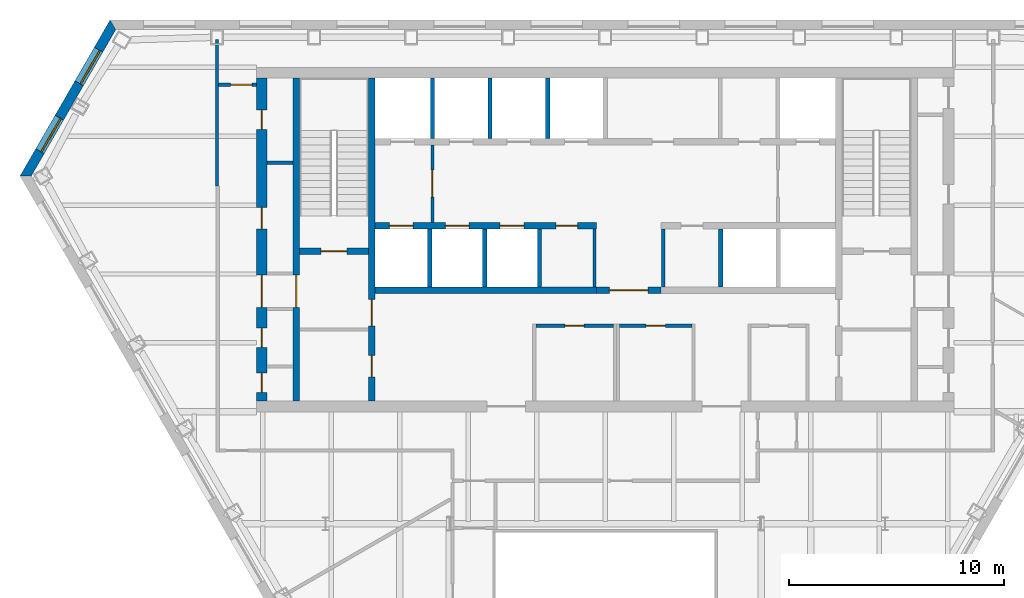
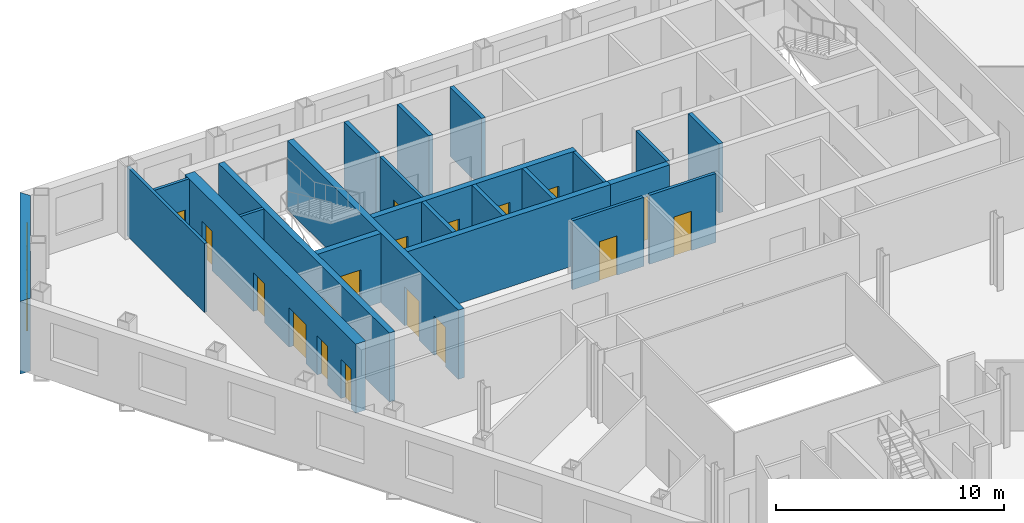
# One storey, part 6 of 11: 23 walls, 18 doors, 2 windows, 20 openings.
"""IFC4 building model written with IfcOpenShell, lengths in metres."""

import ifcopenshell
import ifcopenshell.guid

model = None  # the IFC model being written
_history = None  # IfcOwnerHistory: only IFC2X3 demands one
_inside = {}  # id of a spatial element -> (the spatial element, [elements in it])
_under = {}  # id of a project, library or spatial element -> (it, [spatial elements below it])
_declared = {}  # id of a project -> (the project, [libraries it declares])
_typed = {}  # id of a type object -> (the type object, [elements of that type])
_made_of = {}  # id of a material, layer set ... -> (it, [elements and type objects made of it])


def new_model(schema):
    """Start an empty IFC model of exactly this schema.

    Asked for "IFC4X3", IfcOpenShell would pick the latest addendum, in which some entities
    have other attributes; the version numbers below select the first issue.
    IFC2X3 requires an IfcOwnerHistory on every rooted entity: one is made here for all.
    """
    global model, _history
    if schema == "IFC4X3":
        model = ifcopenshell.file(schema_version=(4, 3, 0, 0))
    else:
        model = ifcopenshell.file(schema=schema)
    _inside.clear()
    _under.clear()
    _declared.clear()
    _typed.clear()
    _made_of.clear()
    _history = None
    if model.schema == "IFC2X3":
        org = make("IfcOrganization", Name="unknown")
        user = make(
            "IfcPersonAndOrganization",
            ThePerson=make("IfcPerson", FamilyName="unknown"),
            TheOrganization=org,
        )
        app = make(
            "IfcApplication",
            ApplicationDeveloper=org,
            Version="unknown",
            ApplicationFullName="unknown",
            ApplicationIdentifier="unknown",
        )
        _history = make(
            "IfcOwnerHistory",
            OwningUser=user,
            OwningApplication=app,
            ChangeAction="ADDED",
            CreationDate=0,
        )
    return model


def make(cls, **values):
    """One entity of the class cls with the attributes given. An attribute that is None is left unset."""
    return model.create_entity(
        cls, **{name: value for name, value in values.items() if value is not None}
    )


def rooted(cls, **values):
    """An entity with a GlobalId (a new one), such as an element, a storey or a relation."""
    return make(cls, GlobalId=ifcopenshell.guid.new(), OwnerHistory=_history, **values)


def si_unit(unit_type, name, prefix=None):
    """IfcSIUnit, for example si_unit("LENGTHUNIT", "METRE", prefix="MILLI")."""
    return make("IfcSIUnit", UnitType=unit_type, Prefix=prefix, Name=name)


def assignment(units):
    """IfcUnitAssignment: the units of a project."""
    return None if units is None else make("IfcUnitAssignment", Units=units)


def point(xyz):
    """IfcCartesianPoint."""
    return None if xyz is None else make("IfcCartesianPoint", Coordinates=xyz)


def direction(xyz):
    """IfcDirection."""
    return None if xyz is None else make("IfcDirection", DirectionRatios=xyz)


def frame(location, z_axis=None, x_axis=None):
    """IfcAxis2Placement3D, a coordinate frame: its origin and axes. An axis left out is left unset."""
    return make(
        "IfcAxis2Placement3D",
        Location=point(location),
        Axis=direction(z_axis),
        RefDirection=direction(x_axis),
    )


def frame_2d(location, x_axis=None):
    """IfcAxis2Placement2D, a coordinate frame in the plane: its origin and x axis."""
    return make(
        "IfcAxis2Placement2D", Location=point(location), RefDirection=direction(x_axis)
    )


def origin():
    """The frame at (0, 0, 0) with its axes left unset."""
    return frame((0.0, 0.0, 0.0))


def place(relative_to, where):
    """IfcLocalPlacement: puts the frame where relative to a parent placement (None: the world)."""
    return make(
        "IfcLocalPlacement", PlacementRelTo=relative_to, RelativePlacement=where
    )


def context(
    kind, dimensions, precision=None, world=None, true_north=None, identifier=None
):
    """IfcGeometricRepresentationContext, for example the 3D "Model" context."""
    return make(
        "IfcGeometricRepresentationContext",
        ContextIdentifier=identifier,
        ContextType=kind,
        CoordinateSpaceDimension=dimensions,
        Precision=precision,
        WorldCoordinateSystem=world,
        TrueNorth=true_north,
    )


def subcontext(parent, identifier, kind, view, scale=None):
    """IfcGeometricRepresentationSubContext, for example "Body" below "Model"."""
    return make(
        "IfcGeometricRepresentationSubContext",
        ContextIdentifier=identifier,
        ContextType=kind,
        ParentContext=parent,
        TargetScale=scale,
        TargetView=view,
    )


def project(units=None, contexts=None):
    """IfcProject with its units and contexts."""
    return rooted(
        "IfcProject",
        Name="project",
        RepresentationContexts=contexts,
        UnitsInContext=assignment(units),
    )


def spatial(cls, under=None, at=None, **own):
    """A site, building, storey or space (cls), placed at a placement, below another one or the project."""
    s = rooted(cls, ObjectPlacement=at, **own)
    if under is not None:
        _under.setdefault(under.id(), (under, []))[1].append(s)
    return s


def polyline(points):
    """IfcPolyline through the points."""
    return make("IfcPolyline", Points=[point(p) for p in points])


def profile(cls, at=None, kind="AREA", **sizes):
    """A parametric profile (cls). Its sizes go by their IFC names, for example OverallWidth=200.0."""
    return make(cls, ProfileType=kind, Position=at, **sizes)


def rectangle(**sizes):
    """IfcRectangleProfileDef."""
    return profile("IfcRectangleProfileDef", **sizes)


def outline(outer, holes=None, kind="AREA"):
    """IfcArbitraryClosedProfileDef: a profile drawn as a closed curve; with holes, ...WithVoids."""
    if holes is None:
        return make("IfcArbitraryClosedProfileDef", ProfileType=kind, OuterCurve=outer)
    return make(
        "IfcArbitraryProfileDefWithVoids",
        ProfileType=kind,
        OuterCurve=outer,
        InnerCurves=holes,
    )


def extrude(swept, where, along, depth):
    """IfcExtrudedAreaSolid: the profile swept, set in the frame where, extruded along a direction by depth."""
    return make(
        "IfcExtrudedAreaSolid",
        SweptArea=swept,
        Position=where,
        ExtrudedDirection=direction(along),
        Depth=depth,
    )


def shape(context_of_items, identifier, shape_type, items):
    """IfcShapeRepresentation: the items that make up one representation, for example the "Body"."""
    return make(
        "IfcShapeRepresentation",
        ContextOfItems=context_of_items,
        RepresentationIdentifier=identifier,
        RepresentationType=shape_type,
        Items=items,
    )


def material(Name=None, Category=None):
    """IfcMaterial."""
    return make("IfcMaterial", Name=Name, Category=Category)


def layer(
    of_material, thickness, ventilated=None, Name=None, Category=None, Priority=None
):
    """IfcMaterialLayer: one layer of a wall or slab, of a material (None: an air gap)."""
    return make(
        "IfcMaterialLayer",
        Material=of_material,
        LayerThickness=thickness,
        IsVentilated=ventilated,
        Name=Name,
        Category=Category,
        Priority=Priority,
    )


def layer_set(layers, Name=None):
    """IfcMaterialLayerSet."""
    return make("IfcMaterialLayerSet", MaterialLayers=layers, LayerSetName=Name)


def made_of(thing, what):
    """Note that an element or type object is made of a material, layer set ...; save() writes the relation."""
    if what is not None:
        _made_of.setdefault(what.id(), (what, []))[1].append(thing)
    return thing


def type_object(cls, material=None, **own):
    """A type object (cls), such as IfcWallType, which elements share."""
    return made_of(rooted(cls, **own), material)


def element(
    cls,
    number,
    at=None,
    inside=None,
    cuts=None,
    type_object=None,
    material=None,
    context=None,
    identifier="Body",
    shape_type=None,
    held_by="IfcProductDefinitionShape",
    body=None,
    shapes=None,
    **own,
):
    """One element of the class cls, such as IfcWall. Its Tag is "e" and its number.

    at: its placement. inside: the storey or other place that contains it. cuts: it is an
    opening in that element (IfcRelVoidsElement). A single representation is given by context,
    identifier, shape_type and body (its items); several are given by shapes. held_by: the class
    of the entity that holds the representations. save() writes the other relations.
    """
    e = rooted(cls, Tag="e%d" % number, ObjectPlacement=at, **own)
    if body is not None:
        shapes = [shape(context, identifier, shape_type, body)]
    if shapes is not None:
        e.Representation = make(held_by, Representations=shapes)
    if inside is not None:
        _inside.setdefault(inside.id(), (inside, []))[1].append(e)
    if cuts is not None:
        rooted(
            "IfcRelVoidsElement", RelatingBuildingElement=cuts, RelatedOpeningElement=e
        )
    if type_object is not None:
        _typed.setdefault(type_object.id(), (type_object, []))[1].append(e)
    return made_of(e, material)


def fill(opening, filler):
    """IfcRelFillsElement: the door or window that sits in an opening."""
    return rooted(
        "IfcRelFillsElement",
        RelatingOpeningElement=opening,
        RelatedBuildingElement=filler,
    )


def aggregate(whole, parts):
    """IfcRelAggregates: a whole, such as a stair, and the parts it consists of."""
    return rooted("IfcRelAggregates", RelatingObject=whole, RelatedObjects=parts)


def save(model, path):
    """Write the relations noted so far, then the file.

    IfcRelAggregates (storeys below a building ...), IfcRelContainedInSpatialStructure (elements
    in a storey), IfcRelDefinesByType, IfcRelAssociatesMaterial and IfcRelDeclares: one each for
    every whole, place, type object, material and project.
    """
    for whole, parts in _under.values():
        aggregate(whole, parts)
    for where, things in _inside.values():
        rooted(
            "IfcRelContainedInSpatialStructure",
            RelatedElements=things,
            RelatingStructure=where,
        )
    for kind, things in _typed.values():
        rooted("IfcRelDefinesByType", RelatedObjects=things, RelatingType=kind)
    for what, things in _made_of.values():
        rooted("IfcRelAssociatesMaterial", RelatedObjects=things, RelatingMaterial=what)
    for by, libraries in _declared.values():
        rooted("IfcRelDeclares", RelatingContext=by, RelatedDefinitions=libraries)
    model.write(path)


model = new_model("IFC4")

# Units and contexts
model_context = context("Model", 3, precision=1e-05, world=origin(), true_north=direction((0.0, 1.0)))
body_context = subcontext(model_context, "Body", "Model", "MODEL_VIEW")
ifc_project = project(units=[si_unit("LENGTHUNIT", "METRE"), si_unit("AREAUNIT", "SQUARE_METRE"), si_unit("VOLUMEUNIT", "CUBIC_METRE"), si_unit("PLANEANGLEUNIT", "RADIAN"), si_unit("MASSUNIT", "GRAM", prefix="KILO")], contexts=[model_context])

# Site, building, storey
site_placement = place(None, origin())
site = spatial("IfcSite", under=ifc_project, at=site_placement, CompositionType="ELEMENT")
building_placement = place(site_placement, origin())
building = spatial("IfcBuilding", under=site, at=building_placement, Name="Njiva Tower", CompositionType="ELEMENT")
storey_placement = place(building_placement, frame((0.0, 0.0, 163.2)))
storey = spatial("IfcBuildingStorey", under=building, at=storey_placement, Name="L35", CompositionType="ELEMENT", Elevation=163.2)

# Walls
ifc_material_1 = material(Name="Blockwork", Category="masonry")
ifc_layer_1 = layer(ifc_material_1, 0.15)
ifc_layer_set_1 = layer_set([ifc_layer_1], Name="Blockwork")
wall_type_1 = type_object("IfcWallType", Name="WT1 Compartment partition 150", PredefinedType="PARTITIONING", material=ifc_layer_set_1)
for number, where, z_axis, x_axis, name in (
    (1, (-0.5, 7.8, 0.0), (0.0, 0.0, 1.0), (0.0, 1.0, 0.0), "Partition CS4"),
    (2, (2.7, 7.8, 0.0), (0.0, 0.0, 1.0), (0.0, 1.0, 0.0), "Partition CS5"),
):
    element("IfcWall", number, at=place(storey_placement, frame(where, z_axis=z_axis, x_axis=x_axis)), inside=storey, type_object=wall_type_1, Name=name, PredefinedType="PARTITIONING", context=body_context, shape_type="SweptSolid", body=[
        extrude(rectangle(XDim=2.7, YDim=0.15, at=frame_2d((1.35, 0.0))), origin(), (0.0, 0.0, 1.0), 3.7),
    ])

# Wall, opening, door
wall_1_placement = place(storey_placement, frame((-3.225, 6.0, 0.0), z_axis=(0.0, 0.0, 1.0), x_axis=(1.0, 0.0, 0.0)))
wall_1 = element("IfcWall", 3, at=wall_1_placement, inside=storey, type_object=wall_type_1, Name="First aid room wall north", PredefinedType="PARTITIONING", context=body_context, shape_type="SweptSolid", body=[
    extrude(rectangle(XDim=3.6, YDim=0.15, at=frame_2d((1.8, 0.0))), origin(), (0.0, 0.0, 1.0), 3.7),
])
opening_1_placement = place(wall_1_placement, frame((1.35, 0.0, 0.0)))
opening_1 = element("IfcOpeningElement", 4, at=opening_1_placement, cuts=wall_1, Name="Opening S12-D933", PredefinedType="OPENING", context=body_context, shape_type="SweptSolid", body=[
    extrude(rectangle(XDim=0.9, YDim=2.1, at=frame_2d((0.45, 1.05))), frame((0.0, 0.085, 0.0), z_axis=(0.0, -1.0, 0.0), x_axis=(1.0, 0.0, 0.0)), (0.0, 0.0, 1.0), 0.17),
])
ifc_material_2 = material(Name="Steel fire door, painted", Category="steel")
door_type_1 = type_object("IfcDoorType", Name="D6 Fire-rated door 900x2100", OperationType="SINGLE_SWING_LEFT", PredefinedType="DOOR", material=ifc_material_2)
door_1_placement = place(opening_1_placement, origin())
door_1 = element("IfcDoor", 5, at=door_1_placement, inside=storey, type_object=door_type_1, Name="First aid room door", OperationType="SINGLE_SWING_LEFT", OverallHeight=2.1, OverallWidth=0.9, PredefinedType="DOOR", context=body_context, shape_type="SweptSolid", body=[
    extrude(rectangle(XDim=0.9, YDim=2.1, at=frame_2d((0.45, 1.05))), frame((0.0, 0.025, 0.0), z_axis=(0.0, -1.0, 0.0), x_axis=(1.0, 0.0, 0.0)), (0.0, 0.0, 1.0), 0.05),
])
fill(opening_1, door_1)

wall_2_placement = place(storey_placement, frame((0.675, 6.0, 0.0), z_axis=(0.0, 0.0, 1.0), x_axis=(1.0, 0.0, 0.0)))
wall_2 = element("IfcWall", 6, at=wall_2_placement, inside=storey, type_object=wall_type_1, Name="Parcel room wall north", PredefinedType="PARTITIONING", context=body_context, shape_type="SweptSolid", body=[
    extrude(rectangle(XDim=3.35, YDim=0.15, at=frame_2d((1.675, 0.0))), origin(), (0.0, 0.0, 1.0), 3.7),
])
opening_2_placement = place(wall_2_placement, frame((1.225, 0.0, 0.0)))
opening_2 = element("IfcOpeningElement", 7, at=opening_2_placement, cuts=wall_2, Name="Opening S12-D934", PredefinedType="OPENING", context=body_context, shape_type="SweptSolid", body=[
    extrude(rectangle(XDim=0.9, YDim=2.1, at=frame_2d((0.45, 1.05))), frame((0.0, 0.085, 0.0), z_axis=(0.0, -1.0, 0.0), x_axis=(1.0, 0.0, 0.0)), (0.0, 0.0, 1.0), 0.17),
])
door_2_placement = place(opening_2_placement, origin())
door_2 = element("IfcDoor", 8, at=door_2_placement, inside=storey, type_object=door_type_1, Name="Parcel room door", OperationType="SINGLE_SWING_LEFT", OverallHeight=2.1, OverallWidth=0.9, PredefinedType="DOOR", context=body_context, shape_type="SweptSolid", body=[
    extrude(rectangle(XDim=0.9, YDim=2.1, at=frame_2d((0.45, 1.05))), frame((0.0, 0.025, 0.0), z_axis=(0.0, -1.0, 0.0), x_axis=(1.0, 0.0, 0.0)), (0.0, 0.0, 1.0), 0.05),
])
fill(opening_2, door_2)

# Wall, openings, doors
ifc_material_3 = material(Name="Concrete C40/50", Category="concrete")
ifc_layer_2 = layer(ifc_material_3, 0.3)
ifc_layer_set_2 = layer_set([ifc_layer_2], Name="Concrete C40/50")
wall_type_2 = type_object("IfcWallType", Name="WT10 Stair enclosure wall 300", PredefinedType="SHEAR", material=ifc_layer_set_2)
wall_3_placement = place(storey_placement, frame((-10.85, 2.5, 0.0), z_axis=(0.0, 0.0, 1.0), x_axis=(0.0, 1.0, 0.0)))
wall_3 = element("IfcWall", 9, at=wall_3_placement, inside=storey, type_object=wall_type_2, Name="Stair wall west inner", PredefinedType="SHEAR", context=body_context, shape_type="SweptSolid", body=[
    extrude(rectangle(XDim=15.0, YDim=0.3, at=frame_2d((7.5, 0.0))), origin(), (0.0, 0.0, 1.0), 3.7),
])
opening_3_placement = place(wall_3_placement, frame((3.475, 0.0, 0.0)))
opening_3 = element("IfcOpeningElement", 10, at=opening_3_placement, cuts=wall_3, Name="Opening S12-D915", PredefinedType="OPENING", context=body_context, shape_type="SweptSolid", body=[
    extrude(rectangle(XDim=1.25, YDim=2.1, at=frame_2d((0.625, 1.05))), frame((0.0, 0.16, 0.0), z_axis=(0.0, -1.0, 0.0), x_axis=(1.0, 0.0, 0.0)), (0.0, 0.0, 1.0), 0.32),
])
opening_4_placement = place(wall_3_placement, frame((1.125, 0.0, 0.0)))
opening_4 = element("IfcOpeningElement", 11, at=opening_4_placement, cuts=wall_3, Name="Opening S12-D916", PredefinedType="OPENING", context=body_context, shape_type="SweptSolid", body=[
    extrude(rectangle(XDim=1.0, YDim=2.1, at=frame_2d((0.5, 1.05))), frame((0.0, 0.16, 0.0), z_axis=(0.0, -1.0, 0.0), x_axis=(1.0, 0.0, 0.0)), (0.0, 0.0, 1.0), 0.32),
])
ifc_material_4 = material(Name="Steel door, painted", Category="steel")
door_type_2 = type_object("IfcDoorType", Name="D5 Steel door 1000x2100", OperationType="SINGLE_SWING_LEFT", PredefinedType="DOOR", material=ifc_material_4)
door_3_placement = place(opening_4_placement, origin())
door_3 = element("IfcDoor", 12, at=door_3_placement, inside=storey, type_object=door_type_2, Name="Prayer room door", OperationType="SINGLE_SWING_RIGHT", OverallHeight=2.1, OverallWidth=1.0, PredefinedType="DOOR", context=body_context, shape_type="SweptSolid", body=[
    extrude(rectangle(XDim=1.0, YDim=2.1, at=frame_2d((0.5, 1.05))), frame((0.0, 0.025, 0.0), z_axis=(0.0, -1.0, 0.0), x_axis=(1.0, 0.0, 0.0)), (0.0, 0.0, 1.0), 0.05),
])
fill(opening_4, door_3)
ifc_material_5 = material(Name="Glazed steel fire door", Category="steel")
door_type_3 = type_object("IfcDoorType", Name="D8 Vestibule corridor door 1250x2100 glazed", OperationType="SINGLE_SWING_LEFT", PredefinedType="DOOR", material=ifc_material_5)
door_4_placement = place(opening_3_placement, origin())
door_4 = element("IfcDoor", 13, at=door_4_placement, inside=storey, type_object=door_type_3, Name="Stair vestibule corridor door", OperationType="SINGLE_SWING_LEFT", OverallHeight=2.1, OverallWidth=1.25, PredefinedType="DOOR", context=body_context, shape_type="SweptSolid", body=[
    extrude(rectangle(XDim=1.25, YDim=2.1, at=frame_2d((0.625, 1.05))), frame((0.0, 0.025, 0.0), z_axis=(0.0, -1.0, 0.0), x_axis=(1.0, 0.0, 0.0)), (0.0, 0.0, 1.0), 0.05),
])
fill(opening_3, door_4)

# Wall, opening, door
wall_4_placement = place(storey_placement, frame((-14.35, 2.5, 0.0), z_axis=(0.0, 0.0, 1.0), x_axis=(0.0, 1.0, 0.0)))
wall_4 = element("IfcWall", 14, at=wall_4_placement, inside=storey, type_object=wall_type_2, Name="Stair wall west outer", PredefinedType="SHEAR", context=body_context, shape_type="SweptSolid", body=[
    extrude(rectangle(XDim=15.0, YDim=0.3, at=frame_2d((7.5, 0.0))), origin(), (0.0, 0.0, 1.0), 3.7),
])
opening_5_placement = place(wall_4_placement, frame((4.35, 0.0, 0.0)))
opening_5 = element("IfcOpeningElement", 15, at=opening_5_placement, cuts=wall_4, Name="Opening S12-D921", PredefinedType="OPENING", context=body_context, shape_type="SweptSolid", body=[
    extrude(rectangle(XDim=1.5, YDim=2.1, at=frame_2d((0.75, 1.05))), frame((0.0, 0.16, 0.0), z_axis=(0.0, -1.0, 0.0), x_axis=(1.0, 0.0, 0.0)), (0.0, 0.0, 1.0), 0.32),
])
door_type_4 = type_object("IfcDoorType", Name="D10 Exit door double 1500x2100 glazed", OperationType="DOUBLE_DOOR_SINGLE_SWING", PredefinedType="DOOR", material=ifc_material_5)
door_5_placement = place(opening_5_placement, origin())
door_5 = element("IfcDoor", 16, at=door_5_placement, inside=storey, type_object=door_type_4, Name="Stair A passage door", OperationType="DOUBLE_DOOR_SINGLE_SWING", OverallHeight=2.1, OverallWidth=1.5, PredefinedType="DOOR", context=body_context, shape_type="SweptSolid", body=[
    extrude(rectangle(XDim=1.5, YDim=2.1, at=frame_2d((0.75, 1.05))), frame((0.0, 0.025, 0.0), z_axis=(0.0, -1.0, 0.0), x_axis=(1.0, 0.0, 0.0)), (0.0, 0.0, 1.0), 0.05),
])
fill(opening_5, door_5)

wall_5_placement = place(storey_placement, frame((-14.2, 9.45, 0.0), z_axis=(0.0, 0.0, 1.0), x_axis=(1.0, 0.0, 0.0)))
wall_5 = element("IfcWall", 17, at=wall_5_placement, inside=storey, type_object=wall_type_2, Name="Stair A south wall", PredefinedType="SHEAR", context=body_context, shape_type="SweptSolid", body=[
    extrude(rectangle(XDim=3.2, YDim=0.3, at=frame_2d((1.6, 0.0))), origin(), (0.0, 0.0, 1.0), 3.7),
])
opening_6_placement = place(wall_5_placement, frame((1.0, 0.0, 0.0)))
opening_6 = element("IfcOpeningElement", 18, at=opening_6_placement, cuts=wall_5, Name="Opening S12-D914", PredefinedType="OPENING", context=body_context, shape_type="SweptSolid", body=[
    extrude(rectangle(XDim=1.2, YDim=2.1, at=frame_2d((0.6, 1.05))), frame((0.0, 0.16, 0.0), z_axis=(0.0, -1.0, 0.0), x_axis=(1.0, 0.0, 0.0)), (0.0, 0.0, 1.0), 0.32),
])
door_type_5 = type_object("IfcDoorType", Name="D7 Stair vestibule door 1200x2100 glazed", OperationType="SINGLE_SWING_LEFT", PredefinedType="DOOR", material=ifc_material_5)
door_6_placement = place(opening_6_placement, origin())
door_6 = element("IfcDoor", 19, at=door_6_placement, inside=storey, type_object=door_type_5, Name="Stair A door", OperationType="SINGLE_SWING_LEFT", OverallHeight=2.1, OverallWidth=1.2, PredefinedType="DOOR", context=body_context, shape_type="SweptSolid", body=[
    extrude(rectangle(XDim=1.2, YDim=2.1, at=frame_2d((0.6, 1.05))), frame((0.0, 0.025, 0.0), z_axis=(0.0, -1.0, 0.0), x_axis=(1.0, 0.0, 0.0)), (0.0, 0.0, 1.0), 0.05),
])
fill(opening_6, door_6)

# Wall, openings, doors
ifc_material_6 = material(Name="Concrete C60/75", Category="concrete")
ifc_layer_3 = layer(ifc_material_6, 0.5)
ifc_layer_set_3 = layer_set([ifc_layer_3], Name="Concrete C60/75")
wall_type_3 = type_object("IfcWallType", Name="WT13 Core wall 500", PredefinedType="SHEAR", material=ifc_layer_set_3)
wall_6_placement = place(storey_placement, frame((-15.95, 2.5, 0.0), z_axis=(0.0, 0.0, 1.0), x_axis=(0.0, 1.0, 0.0)))
wall_6 = element("IfcWall", 20, at=wall_6_placement, inside=storey, type_object=wall_type_3, Name="Core wall west", PredefinedType="SHEAR", context=body_context, shape_type="SweptSolid", body=[
    extrude(rectangle(XDim=15.0, YDim=0.5, at=frame_2d((7.5, 0.0))), origin(), (0.0, 0.0, 1.0), 3.7),
])
opening_7_placement = place(wall_6_placement, frame((4.35, 0.0, 0.0)))
opening_7 = element("IfcOpeningElement", 21, at=opening_7_placement, cuts=wall_6, Name="Opening S12-D922", PredefinedType="OPENING", context=body_context, shape_type="SweptSolid", body=[
    extrude(rectangle(XDim=1.5, YDim=2.1, at=frame_2d((0.75, 1.05))), frame((0.0, 0.26, 0.0), z_axis=(0.0, -1.0, 0.0), x_axis=(1.0, 0.0, 0.0)), (0.0, 0.0, 1.0), 0.52),
])
opening_8_placement = place(wall_6_placement, frame((0.4, 0.0, 0.0)))
opening_8 = element("IfcOpeningElement", 22, at=opening_8_placement, cuts=wall_6, Name="Opening S12-D923", PredefinedType="OPENING", context=body_context, shape_type="SweptSolid", body=[
    extrude(rectangle(XDim=0.9, YDim=2.1, at=frame_2d((0.45, 1.05))), frame((0.0, 0.26, 0.0), z_axis=(0.0, -1.0, 0.0), x_axis=(1.0, 0.0, 0.0)), (0.0, 0.0, 1.0), 0.52),
])
opening_9_placement = place(wall_6_placement, frame((2.491, 0.0, 0.0)))
opening_9 = element("IfcOpeningElement", 23, at=opening_9_placement, cuts=wall_6, Name="Opening S12-D924", PredefinedType="OPENING", context=body_context, shape_type="SweptSolid", body=[
    extrude(rectangle(XDim=0.9, YDim=2.1, at=frame_2d((0.45, 1.05))), frame((0.0, 0.26, 0.0), z_axis=(0.0, -1.0, 0.0), x_axis=(1.0, 0.0, 0.0)), (0.0, 0.0, 1.0), 0.52),
])
opening_10_placement = place(wall_6_placement, frame((7.9962, 0.0, 0.0)))
opening_10 = element("IfcOpeningElement", 24, at=opening_10_placement, cuts=wall_6, Name="Opening S12-D925", PredefinedType="OPENING", context=body_context, shape_type="SweptSolid", body=[
    extrude(rectangle(XDim=1.0, YDim=2.1, at=frame_2d((0.5, 1.05))), frame((0.0, 0.26, 0.0), z_axis=(0.0, -1.0, 0.0), x_axis=(1.0, 0.0, 0.0)), (0.0, 0.0, 1.0), 0.52),
])
opening_11_placement = place(wall_6_placement, frame((12.6212, 0.0, 0.0)))
opening_11 = element("IfcOpeningElement", 25, at=opening_11_placement, cuts=wall_6, Name="Opening S12-D926", PredefinedType="OPENING", context=body_context, shape_type="SweptSolid", body=[
    extrude(rectangle(XDim=0.9, YDim=2.1, at=frame_2d((0.45, 1.05))), frame((0.0, 0.26, 0.0), z_axis=(0.0, -1.0, 0.0), x_axis=(1.0, 0.0, 0.0)), (0.0, 0.0, 1.0), 0.52),
])
door_7_placement = place(opening_7_placement, origin())
door_7 = element("IfcDoor", 26, at=door_7_placement, inside=storey, type_object=door_type_4, Name="Stair A corridor door", OperationType="DOUBLE_DOOR_SINGLE_SWING", OverallHeight=2.1, OverallWidth=1.5, PredefinedType="DOOR", context=body_context, shape_type="SweptSolid", body=[
    extrude(rectangle(XDim=1.5, YDim=2.1, at=frame_2d((0.75, 1.05))), frame((0.0, 0.025, 0.0), z_axis=(0.0, -1.0, 0.0), x_axis=(1.0, 0.0, 0.0)), (0.0, 0.0, 1.0), 0.05),
])
fill(opening_7, door_7)
door_type_6 = type_object("IfcDoorType", Name="D4 Riser door 900x2100", OperationType="SINGLE_SWING_LEFT", PredefinedType="DOOR", material=ifc_material_4)
door_8_placement = place(opening_11_placement, origin())
door_8 = element("IfcDoor", 27, at=door_8_placement, inside=storey, type_object=door_type_6, Name="Cable riser door", OperationType="SINGLE_SWING_LEFT", OverallHeight=2.1, OverallWidth=0.9, PredefinedType="DOOR", context=body_context, shape_type="SweptSolid", body=[
    extrude(rectangle(XDim=0.9, YDim=2.1, at=frame_2d((0.45, 1.05))), frame((0.0, 0.025, 0.0), z_axis=(0.0, -1.0, 0.0), x_axis=(1.0, 0.0, 0.0)), (0.0, 0.0, 1.0), 0.05),
])
fill(opening_11, door_8)
door_9_placement = place(opening_10_placement, origin())
door_9 = element("IfcDoor", 28, at=door_9_placement, inside=storey, type_object=door_type_2, Name="Electrical room door", OperationType="SINGLE_SWING_LEFT", OverallHeight=2.1, OverallWidth=1.0, PredefinedType="DOOR", context=body_context, shape_type="SweptSolid", body=[
    extrude(rectangle(XDim=1.0, YDim=2.1, at=frame_2d((0.5, 1.05))), frame((0.0, 0.025, 0.0), z_axis=(0.0, -1.0, 0.0), x_axis=(1.0, 0.0, 0.0)), (0.0, 0.0, 1.0), 0.05),
])
fill(opening_10, door_9)
door_10_placement = place(opening_8_placement, origin())
door_10 = element("IfcDoor", 29, at=door_10_placement, inside=storey, type_object=door_type_1, Name="Cable store door", OperationType="SINGLE_SWING_RIGHT", OverallHeight=2.1, OverallWidth=0.9, PredefinedType="DOOR", context=body_context, shape_type="SweptSolid", body=[
    extrude(rectangle(XDim=0.9, YDim=2.1, at=frame_2d((0.45, 1.05))), frame((0.0, 0.025, 0.0), z_axis=(0.0, -1.0, 0.0), x_axis=(1.0, 0.0, 0.0)), (0.0, 0.0, 1.0), 0.05),
])
fill(opening_8, door_10)
door_11_placement = place(opening_9_placement, origin())
door_11 = element("IfcDoor", 30, at=door_11_placement, inside=storey, type_object=door_type_1, Name="Cable store door", OperationType="SINGLE_SWING_RIGHT", OverallHeight=2.1, OverallWidth=0.9, PredefinedType="DOOR", context=body_context, shape_type="SweptSolid", body=[
    extrude(rectangle(XDim=0.9, YDim=2.1, at=frame_2d((0.45, 1.05))), frame((0.0, 0.025, 0.0), z_axis=(0.0, -1.0, 0.0), x_axis=(1.0, 0.0, 0.0)), (0.0, 0.0, 1.0), 0.05),
])
fill(opening_9, door_11)

# Wall, opening, door
ifc_layer_4 = layer(ifc_material_1, 0.15)
ifc_layer_set_4 = layer_set([ifc_layer_4], Name="Blockwork")
wall_type_4 = type_object("IfcWallType", Name="WT2 Lobby partition 150", PredefinedType="PARTITIONING", material=ifc_layer_set_4)
wall_7_placement = place(storey_placement, frame((-8.025, 10.8, 0.0), z_axis=(0.0, 0.0, 1.0), x_axis=(0.0, 1.0, 0.0)))
wall_7 = element("IfcWall", 31, at=wall_7_placement, inside=storey, type_object=wall_type_4, Name="Firefighting lobby wall A", PredefinedType="PARTITIONING", context=body_context, shape_type="SweptSolid", body=[
    extrude(rectangle(XDim=3.6, YDim=0.15, at=frame_2d((1.8, 0.0))), origin(), (0.0, 0.0, 1.0), 3.7),
])
opening_12_placement = place(wall_7_placement, frame((1.175, 0.0, 0.0)))
opening_12 = element("IfcOpeningElement", 32, at=opening_12_placement, cuts=wall_7, Name="Opening S12-D913", PredefinedType="OPENING", context=body_context, shape_type="SweptSolid", body=[
    extrude(rectangle(XDim=1.25, YDim=2.1, at=frame_2d((0.625, 1.05))), frame((0.0, 0.085, 0.0), z_axis=(0.0, -1.0, 0.0), x_axis=(1.0, 0.0, 0.0)), (0.0, 0.0, 1.0), 0.17),
])
door_12_placement = place(opening_12_placement, origin())
door_12 = element("IfcDoor", 33, at=door_12_placement, inside=storey, type_object=door_type_3, Name="Stair vestibule corridor door", OperationType="SINGLE_SWING_RIGHT", OverallHeight=2.1, OverallWidth=1.25, PredefinedType="DOOR", context=body_context, shape_type="SweptSolid", body=[
    extrude(rectangle(XDim=1.25, YDim=2.1, at=frame_2d((0.625, 1.05))), frame((0.0, 0.025, 0.0), z_axis=(0.0, -1.0, 0.0), x_axis=(1.0, 0.0, 0.0)), (0.0, 0.0, 1.0), 0.05),
])
fill(opening_12, door_12)

# Wall
ifc_material_7 = material(Name="Gypsum board on steel studs", Category="gypsum")
ifc_layer_5 = layer(ifc_material_7, 0.15)
ifc_layer_set_5 = layer_set([ifc_layer_5], Name="Gypsum board on steel studs")
wall_type_5 = type_object("IfcWallType", Name="WT21 Compartment wall 150", PredefinedType="PARTITIONING", material=ifc_layer_set_5)
wall_8_placement = place(storey_placement, frame((-18.031, 12.498, 0.0), z_axis=(0.0, 0.0, 1.0), x_axis=(0.0, 1.0, 0.0)))
element("IfcWall", 34, at=wall_8_placement, inside=storey, type_object=wall_type_5, Name="Partition S12-P001", PredefinedType="PARTITIONING", context=body_context, shape_type="SweptSolid", body=[
    extrude(rectangle(XDim=6.802, YDim=0.15, at=frame_2d((3.401, 0.0))), origin(), (0.0, 0.0, 1.0), 3.7),
])

# Wall, opening, door
wall_9_placement = place(storey_placement, frame((-17.956, 17.193, 0.0), z_axis=(0.0, 0.0, 1.0), x_axis=(1.0, 0.0, 0.0)))
wall_9 = element("IfcWall", 35, at=wall_9_placement, inside=storey, type_object=wall_type_5, Name="Partition S12-P003", PredefinedType="PARTITIONING", context=body_context, shape_type="SweptSolid", body=[
    extrude(rectangle(XDim=1.756, YDim=0.15, at=frame_2d((0.878, 0.0))), origin(), (0.0, 0.0, 1.0), 3.7),
])
opening_13_placement = place(wall_9_placement, frame((0.556, 0.0, 0.0)))
opening_13 = element("IfcOpeningElement", 36, at=opening_13_placement, cuts=wall_9, Name="Opening S12-D001", PredefinedType="OPENING", context=body_context, shape_type="SweptSolid", body=[
    extrude(rectangle(XDim=1.0, YDim=2.1, at=frame_2d((0.5, 1.05))), frame((0.0, 0.085, 0.0), z_axis=(0.0, -1.0, 0.0), x_axis=(1.0, 0.0, 0.0)), (0.0, 0.0, 1.0), 0.17),
])
ifc_material_8 = material(Name="Steel fire door set", Category="steel")
door_type_7 = type_object("IfcDoorType", Name="D37 Fire door 1000x2100", OperationType="SINGLE_SWING_LEFT", PredefinedType="DOOR", material=ifc_material_8)
door_13_placement = place(opening_13_placement, origin())
door_13 = element("IfcDoor", 37, at=door_13_placement, inside=storey, type_object=door_type_7, Name="Door S12-D001", OperationType="SINGLE_SWING_LEFT", OverallHeight=2.1, OverallWidth=1.0, PredefinedType="DOOR", context=body_context, shape_type="SweptSolid", body=[
    extrude(rectangle(XDim=1.0, YDim=2.1, at=frame_2d((0.5, 1.05))), frame((0.0, 0.025, 0.0), z_axis=(0.0, -1.0, 0.0), x_axis=(1.0, 0.0, 0.0)), (0.0, 0.0, 1.0), 0.05),
])
fill(opening_13, door_13)

# Wall
ifc_layer_6 = layer(ifc_material_1, 0.15)
ifc_layer_set_6 = layer_set([ifc_layer_6], Name="Blockwork")
wall_type_6 = type_object("IfcWallType", Name="WT3 Riser partition 150", PredefinedType="PARTITIONING", material=ifc_layer_set_6)
wall_10_placement = place(storey_placement, frame((-15.7, 13.5673, 0.0), z_axis=(0.0, 0.0, 1.0), x_axis=(1.0, 0.0, 0.0)))
element("IfcWall", 38, at=wall_10_placement, inside=storey, type_object=wall_type_6, Name="Partition strip W10", PredefinedType="PARTITIONING", context=body_context, shape_type="SweptSolid", body=[
    extrude(rectangle(XDim=1.2, YDim=0.15, at=frame_2d((0.6, 0.0))), origin(), (0.0, 0.0, 1.0), 3.7),
])

# Wall, opening, door
ifc_layer_7 = layer(ifc_material_1, 0.3)
ifc_layer_set_7 = layer_set([ifc_layer_7], Name="Blockwork")
wall_type_7 = type_object("IfcWallType", Name="WT5 Lobby partition 300", PredefinedType="PARTITIONING", material=ifc_layer_set_7)
wall_11_placement = place(storey_placement, frame((-0.4, 7.65, 0.0), z_axis=(0.0, 0.0, 1.0), x_axis=(1.0, 0.0, 0.0)))
wall_11 = element("IfcWall", 39, at=wall_11_placement, inside=storey, type_object=wall_type_7, Name="Lift lobby screen wall", PredefinedType="PARTITIONING", context=body_context, shape_type="SweptSolid", body=[
    extrude(rectangle(XDim=3.0, YDim=0.3, at=frame_2d((1.5, 0.0))), origin(), (0.0, 0.0, 1.0), 3.7),
])
opening_14_placement = place(wall_11_placement, frame((0.6, 0.0, 0.0)))
opening_14 = element("IfcOpeningElement", 40, at=opening_14_placement, cuts=wall_11, Name="Opening S12-D936", PredefinedType="OPENING", context=body_context, shape_type="SweptSolid", body=[
    extrude(rectangle(XDim=1.8, YDim=2.4, at=frame_2d((0.9, 1.2))), frame((0.0, 0.16, 0.0), z_axis=(0.0, -1.0, 0.0), x_axis=(1.0, 0.0, 0.0)), (0.0, 0.0, 1.0), 0.32),
])
ifc_material_9 = material(Name="Steel and glass door", Category="steel")
door_type_8 = type_object("IfcDoorType", Name="D3 Core entrance door 1800x2400", OperationType="DOUBLE_DOOR_SINGLE_SWING", PredefinedType="DOOR", material=ifc_material_9)
door_14_placement = place(opening_14_placement, origin())
door_14 = element("IfcDoor", 41, at=door_14_placement, inside=storey, type_object=door_type_8, Name="Core entrance door", OperationType="DOUBLE_DOOR_SINGLE_SWING", OverallHeight=2.4, OverallWidth=1.8, PredefinedType="DOOR", context=body_context, shape_type="SweptSolid", body=[
    extrude(rectangle(XDim=1.8, YDim=2.4, at=frame_2d((0.9, 1.2))), frame((0.0, 0.025, 0.0), z_axis=(0.0, -1.0, 0.0), x_axis=(1.0, 0.0, 0.0)), (0.0, 0.0, 1.0), 0.05),
])
fill(opening_14, door_14)

# Walls
ifc_layer_8 = layer(ifc_material_3, 0.2)
ifc_layer_set_8 = layer_set([ifc_layer_8], Name="Concrete C40/50")
wall_type_8 = type_object("IfcWallType", Name="WT6 Lift shaft wall 200", PredefinedType="SHEAR", material=ifc_layer_set_8)
for number, where, z_axis, x_axis, name in (
    (42, (-8.025, 14.7, 0.0), (0.0, 0.0, 1.0), (0.0, 1.0, 0.0), "Shaft wall CN1"),
    (43, (-5.35, 14.7, 0.0), (0.0, 0.0, 1.0), (0.0, 1.0, 0.0), "Shaft wall CN2"),
    (44, (-2.675, 14.7, 0.0), (0.0, 0.0, 1.0), (0.0, 1.0, 0.0), "Shaft wall CN3"),
):
    element("IfcWall", number, at=place(storey_placement, frame(where, z_axis=z_axis, x_axis=x_axis)), inside=storey, type_object=wall_type_8, Name=name, PredefinedType="SHEAR", context=body_context, shape_type="SweptSolid", body=[
        extrude(rectangle(XDim=2.8, YDim=0.2, at=frame_2d((1.4, 0.0))), origin(), (0.0, 0.0, 1.0), 3.7),
    ])
for number, where, z_axis, x_axis, name in (
    (45, (-8.15, 7.8, 0.0), (0.0, 0.0, 1.0), (0.0, 1.0, 0.0), "Shaft wall CS1"),
    (46, (-5.6, 7.8, 0.0), (0.0, 0.0, 1.0), (0.0, 1.0, 0.0), "Shaft wall CS2"),
    (47, (-3.05, 7.8, 0.0), (0.0, 0.0, 1.0), (0.0, 1.0, 0.0), "Shaft wall CS3"),
    (48, (5.3667, 7.8, 0.0), (0.0, 0.0, 1.0), (0.0, 1.0, 0.0), "Shaft wall CS6"),
):
    element("IfcWall", number, at=place(storey_placement, frame(where, z_axis=z_axis, x_axis=x_axis)), inside=storey, type_object=wall_type_8, Name=name, PredefinedType="SHEAR", context=body_context, shape_type="SweptSolid", body=[
        extrude(rectangle(XDim=2.7, YDim=0.2, at=frame_2d((1.35, 0.0))), origin(), (0.0, 0.0, 1.0), 3.7),
    ])

# Wall, openings, doors
ifc_layer_9 = layer(ifc_material_3, 0.3)
ifc_layer_set_9 = layer_set([ifc_layer_9], Name="Concrete C40/50")
wall_type_9 = type_object("IfcWallType", Name="WT7 Lift shaft wall 300", PredefinedType="SHEAR", material=ifc_layer_set_9)
wall_12_placement = place(storey_placement, frame((-10.7, 10.65, 0.0), z_axis=(0.0, 0.0, 1.0), x_axis=(1.0, 0.0, 0.0)))
wall_12 = element("IfcWall", 49, at=wall_12_placement, inside=storey, type_object=wall_type_9, Name="Shaft wall south row lobby side W", PredefinedType="SHEAR", context=body_context, shape_type="SweptSolid", body=[
    extrude(rectangle(XDim=10.3, YDim=0.3, at=frame_2d((5.15, 0.0))), origin(), (0.0, 0.0, 1.0), 3.7),
])
opening_15_placement = place(wall_12_placement, frame((0.675, 0.0, 0.0)))
opening_15 = element("IfcOpeningElement", 50, at=opening_15_placement, cuts=wall_12, Name="Opening S12-D906", PredefinedType="OPENING", context=body_context, shape_type="SweptSolid", body=[
    extrude(rectangle(XDim=1.1, YDim=2.1, at=frame_2d((0.55, 1.05))), frame((0.0, 0.16, 0.0), z_axis=(0.0, -1.0, 0.0), x_axis=(1.0, 0.0, 0.0)), (0.0, 0.0, 1.0), 0.32),
])
opening_16_placement = place(wall_12_placement, frame((3.275, 0.0, 0.0)))
opening_16 = element("IfcOpeningElement", 51, at=opening_16_placement, cuts=wall_12, Name="Opening S12-D907", PredefinedType="OPENING", context=body_context, shape_type="SweptSolid", body=[
    extrude(rectangle(XDim=1.1, YDim=2.1, at=frame_2d((0.55, 1.05))), frame((0.0, 0.16, 0.0), z_axis=(0.0, -1.0, 0.0), x_axis=(1.0, 0.0, 0.0)), (0.0, 0.0, 1.0), 0.32),
])
opening_17_placement = place(wall_12_placement, frame((5.825, 0.0, 0.0)))
opening_17 = element("IfcOpeningElement", 52, at=opening_17_placement, cuts=wall_12, Name="Opening S12-D908", PredefinedType="OPENING", context=body_context, shape_type="SweptSolid", body=[
    extrude(rectangle(XDim=1.1, YDim=2.1, at=frame_2d((0.55, 1.05))), frame((0.0, 0.16, 0.0), z_axis=(0.0, -1.0, 0.0), x_axis=(1.0, 0.0, 0.0)), (0.0, 0.0, 1.0), 0.32),
])
opening_18_placement = place(wall_12_placement, frame((8.425, 0.0, 0.0)))
opening_18 = element("IfcOpeningElement", 53, at=opening_18_placement, cuts=wall_12, Name="Opening S12-D911", PredefinedType="OPENING", context=body_context, shape_type="SweptSolid", body=[
    extrude(rectangle(XDim=1.0, YDim=2.1, at=frame_2d((0.5, 1.05))), frame((0.0, 0.16, 0.0), z_axis=(0.0, -1.0, 0.0), x_axis=(1.0, 0.0, 0.0)), (0.0, 0.0, 1.0), 0.32),
])
door_15_placement = place(opening_18_placement, origin())
door_15 = element("IfcDoor", 54, at=door_15_placement, inside=storey, type_object=door_type_2, Name="Reading room door", OperationType="SINGLE_SWING_RIGHT", OverallHeight=2.1, OverallWidth=1.0, PredefinedType="DOOR", context=body_context, shape_type="SweptSolid", body=[
    extrude(rectangle(XDim=1.0, YDim=2.1, at=frame_2d((0.5, 1.05))), frame((0.0, 0.025, 0.0), z_axis=(0.0, -1.0, 0.0), x_axis=(1.0, 0.0, 0.0)), (0.0, 0.0, 1.0), 0.05),
])
fill(opening_18, door_15)
ifc_material_10 = material(Name="Stainless steel sliding door", Category="steel")
door_type_9 = type_object("IfcDoorType", Name="LD Lift landing door 1100x2100", OperationType="SLIDING_TO_LEFT", PredefinedType="DOOR", material=ifc_material_10)
door_16_placement = place(opening_15_placement, origin())
door_16 = element("IfcDoor", 55, at=door_16_placement, inside=storey, type_object=door_type_9, Name="Lift landing door MB1", OperationType="SLIDING_TO_LEFT", OverallHeight=2.1, OverallWidth=1.1, PredefinedType="DOOR", context=body_context, shape_type="SweptSolid", body=[
    extrude(rectangle(XDim=1.1, YDim=2.1, at=frame_2d((0.55, 1.05))), frame((0.0, 0.025, 0.0), z_axis=(0.0, -1.0, 0.0), x_axis=(1.0, 0.0, 0.0)), (0.0, 0.0, 1.0), 0.05),
])
fill(opening_15, door_16)
door_17_placement = place(opening_16_placement, origin())
door_17 = element("IfcDoor", 56, at=door_17_placement, inside=storey, type_object=door_type_9, Name="Lift landing door MB2", OperationType="SLIDING_TO_LEFT", OverallHeight=2.1, OverallWidth=1.1, PredefinedType="DOOR", context=body_context, shape_type="SweptSolid", body=[
    extrude(rectangle(XDim=1.1, YDim=2.1, at=frame_2d((0.55, 1.05))), frame((0.0, 0.025, 0.0), z_axis=(0.0, -1.0, 0.0), x_axis=(1.0, 0.0, 0.0)), (0.0, 0.0, 1.0), 0.05),
])
fill(opening_16, door_17)
door_18_placement = place(opening_17_placement, origin())
door_18 = element("IfcDoor", 57, at=door_18_placement, inside=storey, type_object=door_type_9, Name="Lift landing door MB3", OperationType="SLIDING_TO_LEFT", OverallHeight=2.1, OverallWidth=1.1, PredefinedType="DOOR", context=body_context, shape_type="SweptSolid", body=[
    extrude(rectangle(XDim=1.1, YDim=2.1, at=frame_2d((0.55, 1.05))), frame((0.0, 0.025, 0.0), z_axis=(0.0, -1.0, 0.0), x_axis=(1.0, 0.0, 0.0)), (0.0, 0.0, 1.0), 0.05),
])
fill(opening_17, door_18)

# Wall
wall_13_placement = place(storey_placement, frame((-10.7, 7.65, 0.0), z_axis=(0.0, 0.0, 1.0), x_axis=(1.0, 0.0, 0.0)))
element("IfcWall", 58, at=wall_13_placement, inside=storey, type_object=wall_type_9, Name="Shaft wall south row back W", PredefinedType="SHEAR", context=body_context, shape_type="SweptSolid", body=[
    extrude(rectangle(XDim=10.3, YDim=0.3, at=frame_2d((5.15, 0.0))), origin(), (0.0, 0.0, 1.0), 3.7),
])

# Wall, openings, windows
ifc_material_11 = material(Name="Brick masonry, buff", Category="masonry")
ifc_layer_10 = layer(ifc_material_11, 0.45)
ifc_layer_set_10 = layer_set([ifc_layer_10], Name="Brick masonry, buff")
wall_type_10 = type_object("IfcWallType", Name="WT94 Brick pier and spandrel wall 450, buff", PredefinedType="SOLIDWALL", material=ifc_layer_set_10)
wall_14_placement = place(storey_placement, frame((-22.8701, 19.975, -0.4), z_axis=(0.0, 0.0, 1.0), x_axis=(-0.500002094529, -0.866024194504, 0.0)))
wall_14 = element("IfcWall", 59, at=wall_14_placement, inside=storey, type_object=wall_type_10, Name="Facade wall NW", PredefinedType="SOLIDWALL", context=body_context, shape_type="SweptSolid", body=[
    extrude(outline(polyline([(-0.1299, -0.225), (8.2401, -0.225), (7.9803, 0.225), (0.1299, 0.225), (-0.1299, -0.225)])), origin(), (0.0, 0.0, 1.0), 3.9),
])
opening_19_placement = place(wall_14_placement, frame((1.3319, 0.0, 1.3)))
opening_19 = element("IfcOpeningElement", 60, at=opening_19_placement, cuts=wall_14, Name="Opening S12-W10", PredefinedType="OPENING", context=body_context, shape_type="SweptSolid", body=[
    extrude(rectangle(XDim=1.8, YDim=2.0, at=frame_2d((0.9, 1.0))), frame((0.0, 0.235, 0.0), z_axis=(0.0, -1.0, 0.0), x_axis=(1.0, 0.0, 0.0)), (0.0, 0.0, 1.0), 0.47),
])
opening_20_placement = place(wall_14_placement, frame((4.9782, 0.0, 1.3)))
opening_20 = element("IfcOpeningElement", 61, at=opening_20_placement, cuts=wall_14, Name="Opening S12-W11", PredefinedType="OPENING", context=body_context, shape_type="SweptSolid", body=[
    extrude(rectangle(XDim=1.8, YDim=2.0, at=frame_2d((0.9, 1.0))), frame((0.0, 0.235, 0.0), z_axis=(0.0, -1.0, 0.0), x_axis=(1.0, 0.0, 0.0)), (0.0, 0.0, 1.0), 0.47),
])
ifc_material_12 = material(Name="Clear glazing in aluminium frame", Category="aluminium")
window_type = type_object("IfcWindowType", Name="W94 Deep-set window 1800x2000", PartitioningType="SINGLE_PANEL", PredefinedType="WINDOW", material=ifc_material_12)
window_1_placement = place(opening_19_placement, origin())
window_1 = element("IfcWindow", 62, at=window_1_placement, inside=storey, type_object=window_type, Name="Window", OverallHeight=2.0, OverallWidth=1.8, PartitioningType="SINGLE_PANEL", PredefinedType="WINDOW", context=body_context, shape_type="SweptSolid", body=[
    extrude(rectangle(XDim=1.8, YDim=2.0, at=frame_2d((0.9, 1.0))), frame((0.0, 0.105, 0.0), z_axis=(0.0, -1.0, 0.0), x_axis=(1.0, 0.0, 0.0)), (0.0, 0.0, 1.0), 0.06),
])
fill(opening_19, window_1)
window_2_placement = place(opening_20_placement, origin())
window_2 = element("IfcWindow", 63, at=window_2_placement, inside=storey, type_object=window_type, Name="Window", OverallHeight=2.0, OverallWidth=1.8, PartitioningType="SINGLE_PANEL", PredefinedType="WINDOW", context=body_context, shape_type="SweptSolid", body=[
    extrude(rectangle(XDim=1.8, YDim=2.0, at=frame_2d((0.9, 1.0))), frame((0.0, 0.105, 0.0), z_axis=(0.0, -1.0, 0.0), x_axis=(1.0, 0.0, 0.0)), (0.0, 0.0, 1.0), 0.06),
])
fill(opening_20, window_2)

save(model, "model.ifc")
